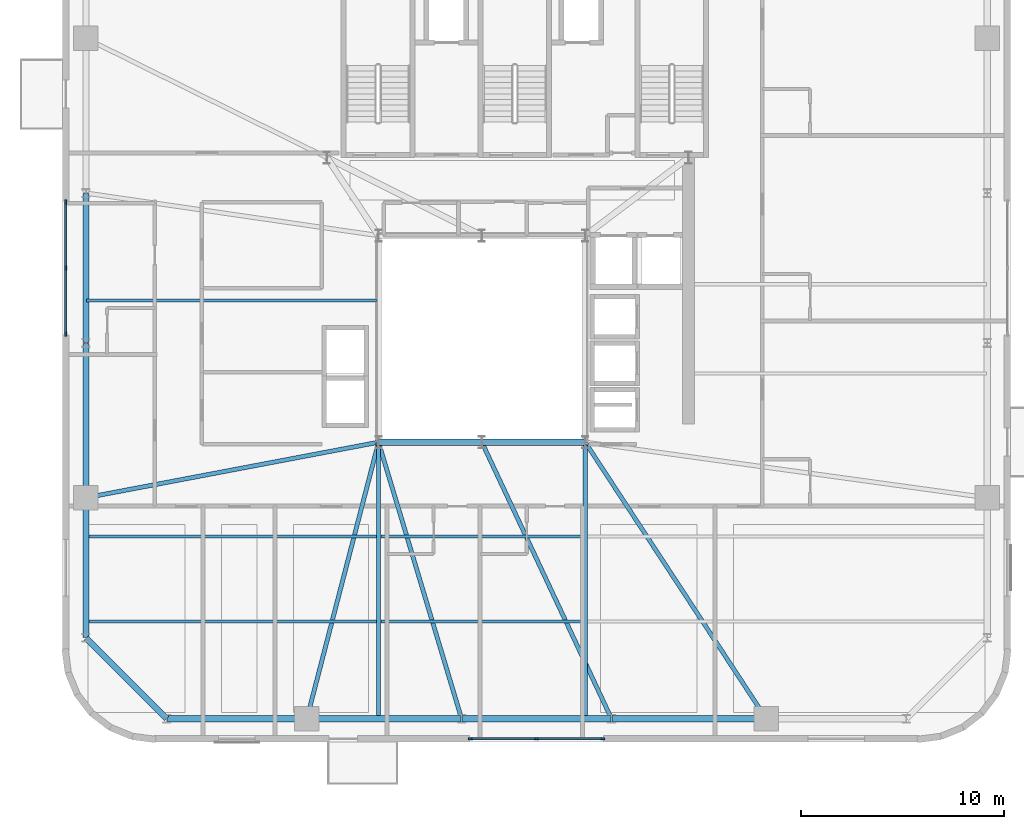
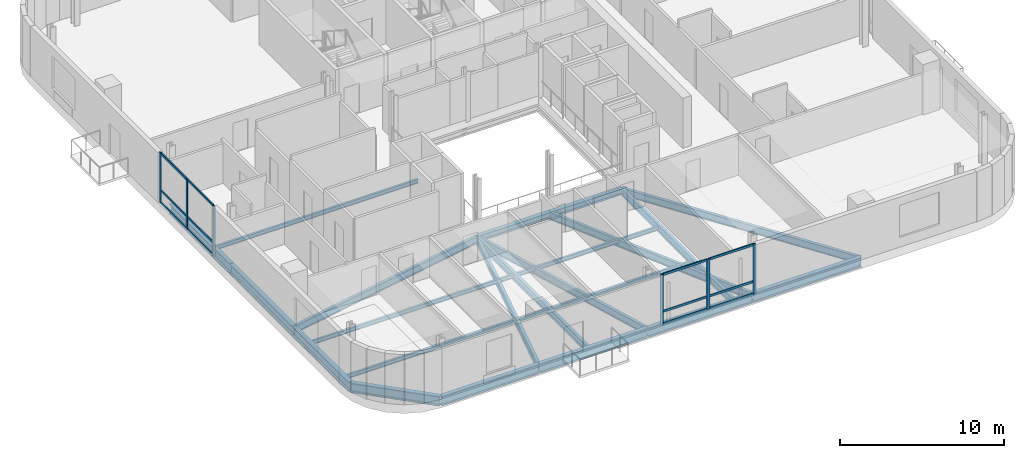
# One storey, part 3 of 15: 22 beams, 18 members, 2 elements without a shape of their own.
"""IFC4 building model written with IfcOpenShell, lengths in metres."""

import ifcopenshell
import ifcopenshell.guid

model = None  # the IFC model being written
_history = None  # IfcOwnerHistory: only IFC2X3 demands one
_inside = {}  # id of a spatial element -> (the spatial element, [elements in it])
_under = {}  # id of a project, library or spatial element -> (it, [spatial elements below it])
_declared = {}  # id of a project -> (the project, [libraries it declares])
_typed = {}  # id of a type object -> (the type object, [elements of that type])
_made_of = {}  # id of a material, layer set ... -> (it, [elements and type objects made of it])


def new_model(schema):
    """Start an empty IFC model of exactly this schema.

    Asked for "IFC4X3", IfcOpenShell would pick the latest addendum, in which some entities
    have other attributes; the version numbers below select the first issue.
    IFC2X3 requires an IfcOwnerHistory on every rooted entity: one is made here for all.
    """
    global model, _history
    if schema == "IFC4X3":
        model = ifcopenshell.file(schema_version=(4, 3, 0, 0))
    else:
        model = ifcopenshell.file(schema=schema)
    _inside.clear()
    _under.clear()
    _declared.clear()
    _typed.clear()
    _made_of.clear()
    _history = None
    if model.schema == "IFC2X3":
        org = make("IfcOrganization", Name="unknown")
        user = make(
            "IfcPersonAndOrganization",
            ThePerson=make("IfcPerson", FamilyName="unknown"),
            TheOrganization=org,
        )
        app = make(
            "IfcApplication",
            ApplicationDeveloper=org,
            Version="unknown",
            ApplicationFullName="unknown",
            ApplicationIdentifier="unknown",
        )
        _history = make(
            "IfcOwnerHistory",
            OwningUser=user,
            OwningApplication=app,
            ChangeAction="ADDED",
            CreationDate=0,
        )
    return model


def make(cls, **values):
    """One entity of the class cls with the attributes given. An attribute that is None is left unset."""
    return model.create_entity(
        cls, **{name: value for name, value in values.items() if value is not None}
    )


def rooted(cls, **values):
    """An entity with a GlobalId (a new one), such as an element, a storey or a relation."""
    return make(cls, GlobalId=ifcopenshell.guid.new(), OwnerHistory=_history, **values)


def si_unit(unit_type, name, prefix=None):
    """IfcSIUnit, for example si_unit("LENGTHUNIT", "METRE", prefix="MILLI")."""
    return make("IfcSIUnit", UnitType=unit_type, Prefix=prefix, Name=name)


def assignment(units):
    """IfcUnitAssignment: the units of a project."""
    return None if units is None else make("IfcUnitAssignment", Units=units)


def point(xyz):
    """IfcCartesianPoint."""
    return None if xyz is None else make("IfcCartesianPoint", Coordinates=xyz)


def direction(xyz):
    """IfcDirection."""
    return None if xyz is None else make("IfcDirection", DirectionRatios=xyz)


def frame(location, z_axis=None, x_axis=None):
    """IfcAxis2Placement3D, a coordinate frame: its origin and axes. An axis left out is left unset."""
    return make(
        "IfcAxis2Placement3D",
        Location=point(location),
        Axis=direction(z_axis),
        RefDirection=direction(x_axis),
    )


def frame_2d(location, x_axis=None):
    """IfcAxis2Placement2D, a coordinate frame in the plane: its origin and x axis."""
    return make(
        "IfcAxis2Placement2D", Location=point(location), RefDirection=direction(x_axis)
    )


def origin():
    """The frame at (0, 0, 0) with its axes left unset."""
    return frame((0.0, 0.0, 0.0))


def origin_2d():
    """The frame at (0, 0) in the plane with its x axis left unset."""
    return frame_2d((0.0, 0.0))


def place(relative_to, where):
    """IfcLocalPlacement: puts the frame where relative to a parent placement (None: the world)."""
    return make(
        "IfcLocalPlacement", PlacementRelTo=relative_to, RelativePlacement=where
    )


def context(
    kind, dimensions, precision=None, world=None, true_north=None, identifier=None
):
    """IfcGeometricRepresentationContext, for example the 3D "Model" context."""
    return make(
        "IfcGeometricRepresentationContext",
        ContextIdentifier=identifier,
        ContextType=kind,
        CoordinateSpaceDimension=dimensions,
        Precision=precision,
        WorldCoordinateSystem=world,
        TrueNorth=true_north,
    )


def subcontext(parent, identifier, kind, view, scale=None):
    """IfcGeometricRepresentationSubContext, for example "Body" below "Model"."""
    return make(
        "IfcGeometricRepresentationSubContext",
        ContextIdentifier=identifier,
        ContextType=kind,
        ParentContext=parent,
        TargetScale=scale,
        TargetView=view,
    )


def project(units=None, contexts=None):
    """IfcProject with its units and contexts."""
    return rooted(
        "IfcProject",
        Name="project",
        RepresentationContexts=contexts,
        UnitsInContext=assignment(units),
    )


def spatial(cls, under=None, at=None, **own):
    """A site, building, storey or space (cls), placed at a placement, below another one or the project."""
    s = rooted(cls, ObjectPlacement=at, **own)
    if under is not None:
        _under.setdefault(under.id(), (under, []))[1].append(s)
    return s


def profile(cls, at=None, kind="AREA", **sizes):
    """A parametric profile (cls). Its sizes go by their IFC names, for example OverallWidth=200.0."""
    return make(cls, ProfileType=kind, Position=at, **sizes)


def rectangle(**sizes):
    """IfcRectangleProfileDef."""
    return profile("IfcRectangleProfileDef", **sizes)


def i_section(**sizes):
    """IfcIShapeProfileDef."""
    return profile("IfcIShapeProfileDef", **sizes)


def extrude(swept, where, along, depth):
    """IfcExtrudedAreaSolid: the profile swept, set in the frame where, extruded along a direction by depth."""
    return make(
        "IfcExtrudedAreaSolid",
        SweptArea=swept,
        Position=where,
        ExtrudedDirection=direction(along),
        Depth=depth,
    )


def shape(context_of_items, identifier, shape_type, items):
    """IfcShapeRepresentation: the items that make up one representation, for example the "Body"."""
    return make(
        "IfcShapeRepresentation",
        ContextOfItems=context_of_items,
        RepresentationIdentifier=identifier,
        RepresentationType=shape_type,
        Items=items,
    )


def source(mapping_origin, context_of_items, identifier, shape_type, items):
    """IfcRepresentationMap: a shape defined once, which mapped items show again and again."""
    return make(
        "IfcRepresentationMap",
        MappingOrigin=mapping_origin,
        MappedRepresentation=shape(context_of_items, identifier, shape_type, items),
    )


def transform(
    local_origin,
    x_axis=None,
    y_axis=None,
    z_axis=None,
    scale=None,
    scale2=None,
    scale3=None,
    uniform=True,
):
    """IfcCartesianTransformationOperator3D, or its non-uniform kind. x_axis, y_axis, z_axis: its Axis1, 2, 3."""
    if uniform:
        return make(
            "IfcCartesianTransformationOperator3D",
            Axis1=direction(x_axis),
            Axis2=direction(y_axis),
            LocalOrigin=point(local_origin),
            Scale=scale,
            Axis3=direction(z_axis),
        )
    return make(
        "IfcCartesianTransformationOperator3DnonUniform",
        Axis1=direction(x_axis),
        Axis2=direction(y_axis),
        LocalOrigin=point(local_origin),
        Scale=scale,
        Axis3=direction(z_axis),
        Scale2=scale2,
        Scale3=scale3,
    )


def mapped(mapping_source, mapping_target):
    """IfcMappedItem: shows the shape of a source again, moved by a transform."""
    return make(
        "IfcMappedItem", MappingSource=mapping_source, MappingTarget=mapping_target
    )


def material(Name=None, Category=None):
    """IfcMaterial."""
    return make("IfcMaterial", Name=Name, Category=Category)


def material_profile(
    of_material, cross_section, Name=None, Category=None, Priority=None
):
    """IfcMaterialProfile: a cross section and its material."""
    return make(
        "IfcMaterialProfile",
        Name=Name,
        Material=of_material,
        Profile=cross_section,
        Priority=Priority,
        Category=Category,
    )


def profile_set(profiles, Name=None, composite=None):
    """IfcMaterialProfileSet."""
    return make(
        "IfcMaterialProfileSet",
        Name=Name,
        MaterialProfiles=profiles,
        CompositeProfile=composite,
    )


def made_of(thing, what):
    """Note that an element or type object is made of a material, layer set ...; save() writes the relation."""
    if what is not None:
        _made_of.setdefault(what.id(), (what, []))[1].append(thing)
    return thing


def type_object(cls, material=None, **own):
    """A type object (cls), such as IfcWallType, which elements share."""
    return made_of(rooted(cls, **own), material)


def element(
    cls,
    number,
    at=None,
    inside=None,
    cuts=None,
    type_object=None,
    material=None,
    context=None,
    identifier="Body",
    shape_type=None,
    held_by="IfcProductDefinitionShape",
    body=None,
    shapes=None,
    **own,
):
    """One element of the class cls, such as IfcWall. Its Tag is "e" and its number.

    at: its placement. inside: the storey or other place that contains it. cuts: it is an
    opening in that element (IfcRelVoidsElement). A single representation is given by context,
    identifier, shape_type and body (its items); several are given by shapes. held_by: the class
    of the entity that holds the representations. save() writes the other relations.
    """
    e = rooted(cls, Tag="e%d" % number, ObjectPlacement=at, **own)
    if body is not None:
        shapes = [shape(context, identifier, shape_type, body)]
    if shapes is not None:
        e.Representation = make(held_by, Representations=shapes)
    if inside is not None:
        _inside.setdefault(inside.id(), (inside, []))[1].append(e)
    if cuts is not None:
        rooted(
            "IfcRelVoidsElement", RelatingBuildingElement=cuts, RelatedOpeningElement=e
        )
    if type_object is not None:
        _typed.setdefault(type_object.id(), (type_object, []))[1].append(e)
    return made_of(e, material)


def aggregate(whole, parts):
    """IfcRelAggregates: a whole, such as a stair, and the parts it consists of."""
    return rooted("IfcRelAggregates", RelatingObject=whole, RelatedObjects=parts)


def save(model, path):
    """Write the relations noted so far, then the file.

    IfcRelAggregates (storeys below a building ...), IfcRelContainedInSpatialStructure (elements
    in a storey), IfcRelDefinesByType, IfcRelAssociatesMaterial and IfcRelDeclares: one each for
    every whole, place, type object, material and project.
    """
    for whole, parts in _under.values():
        aggregate(whole, parts)
    for where, things in _inside.values():
        rooted(
            "IfcRelContainedInSpatialStructure",
            RelatedElements=things,
            RelatingStructure=where,
        )
    for kind, things in _typed.values():
        rooted("IfcRelDefinesByType", RelatedObjects=things, RelatingType=kind)
    for what, things in _made_of.values():
        rooted("IfcRelAssociatesMaterial", RelatedObjects=things, RelatingMaterial=what)
    for by, libraries in _declared.values():
        rooted("IfcRelDeclares", RelatingContext=by, RelatedDefinitions=libraries)
    model.write(path)


model = new_model("IFC4")

# Units and contexts
model_context = context("Model", 3, precision=1e-05, world=origin(), true_north=direction((0.0, 1.0)))
body_context = subcontext(model_context, "Body", "Model", "MODEL_VIEW")
ifc_project = project(units=[si_unit("LENGTHUNIT", "METRE"), si_unit("AREAUNIT", "SQUARE_METRE"), si_unit("VOLUMEUNIT", "CUBIC_METRE"), si_unit("PLANEANGLEUNIT", "RADIAN"), si_unit("MASSUNIT", "GRAM", prefix="KILO")], contexts=[model_context])

# Site, building, storey
site_placement = place(None, origin())
site = spatial("IfcSite", under=ifc_project, at=site_placement, CompositionType="ELEMENT")
building_placement = place(site_placement, origin())
building = spatial("IfcBuilding", under=site, at=building_placement, Name="Vardaveli Station Tower", CompositionType="ELEMENT")
storey_placement = place(building_placement, frame((0.0, 0.0, 242.699951171875)))
storey = spatial("IfcBuildingStorey", under=building, at=storey_placement, Name="L62", CompositionType="ELEMENT", Elevation=242.699951171875)

# Beams
ifc_material_1 = material(Name="Structural steel S355J2", Category="steel")
ifc_material_profile_1 = material_profile(ifc_material_1, i_section(OverallWidth=0.300048828125, OverallDepth=0.449951171875, WebThickness=0.013916015625, FlangeThickness=0.02587890625, FilletRadius=0.027099609375, at=origin_2d()), Name="HEB 450")
ifc_profile_set_1 = profile_set([ifc_material_profile_1], Name="Structural steel S355J2")
beam_type_1 = type_object("IfcBeamType", Name="BM-HEB450", PredefinedType="BEAM", material=ifc_profile_set_1)
shared_shape_1 = source(origin(), body_context, "Body", "SweptSolid", [
    extrude(i_section(OverallWidth=0.300048828125, OverallDepth=0.449951171875, WebThickness=0.013916015625, FlangeThickness=0.02587890625, FilletRadius=0.027099609375, at=origin_2d()), origin(), (0.0, 0.0, 1.0), 5.06005859375),
])
beam_1_placement = place(storey_placement, frame((31.219970703125, 16.60009765625, -0.875), z_axis=(1.0, 0.0, 0.0), x_axis=(0.0, 1.0, 0.0)))
element("IfcBeam", 1, at=beam_1_placement, inside=storey, type_object=beam_type_1, Name="ABM-L62-01", PredefinedType="BEAM", context=body_context, shape_type="MappedRepresentation", body=[
    mapped(shared_shape_1, transform((0.0, 0.0, 0.0), scale=1.0)),
])
shared_shape_2 = source(origin(), body_context, "Body", "SweptSolid", [
    extrude(i_section(OverallWidth=0.300048828125, OverallDepth=0.449951171875, WebThickness=0.013916015625, FlangeThickness=0.02587890625, FilletRadius=0.027099609375, at=origin_2d()), origin(), (0.0, 0.0, 1.0), 5.059814453125),
])
beam_2_placement = place(storey_placement, frame((36.320068359375, 16.60009765625, -0.875), z_axis=(1.0, 0.0, 0.0), x_axis=(0.0, 1.0, 0.0)))
element("IfcBeam", 2, at=beam_2_placement, inside=storey, type_object=beam_type_1, Name="ABM-L62-02", PredefinedType="BEAM", context=body_context, shape_type="MappedRepresentation", body=[
    mapped(shared_shape_2, transform((0.0, 0.0, 0.0), scale=1.0)),
])
ifc_material_profile_2 = material_profile(ifc_material_1, i_section(OverallWidth=0.2099609375, OverallDepth=0.550048828125, WebThickness=0.010986328125, FlangeThickness=0.01708984375, FilletRadius=0.02392578125, at=origin_2d()), Name="IPE 550")
ifc_profile_set_2 = profile_set([ifc_material_profile_2], Name="Structural steel S355J2")
beam_type_2 = type_object("IfcBeamType", Name="BM-IPE550", PredefinedType="BEAM", material=ifc_profile_set_2)
shared_shape_3 = source(origin(), body_context, "Body", "SweptSolid", [
    extrude(i_section(OverallWidth=0.2099609375, OverallDepth=0.550048828125, WebThickness=0.010986328125, FlangeThickness=0.01708984375, FilletRadius=0.02392578125, at=origin_2d()), origin(), (0.0, 0.0, 1.0), 13.469970703125),
])
for number, where, z_axis, x_axis, name in (
    (3, (31.199951171875, 2.989990234375, -0.925048828125), (0.0, 1.0, 0.0), (-1.0, 0.0, 0.0), "NSM-L62-S1"),
    (4, (41.39990234375, 2.989990234375, -0.925048828125), (0.0, 1.0, 0.0), (-1.0, 0.0, 0.0), "NSM-L62-S2"),
):
    element("IfcBeam", number, at=place(storey_placement, frame(where, z_axis=z_axis, x_axis=x_axis)), inside=storey, type_object=beam_type_2, Name=name, PredefinedType="BEAM", context=body_context, shape_type="MappedRepresentation", body=[
        mapped(shared_shape_3, transform((0.0, 0.0, 0.0), scale=1.0)),
    ])
ifc_material_2 = material(Name="Structural steel S460M", Category="steel")
ifc_material_profile_3 = material_profile(ifc_material_2, i_section(OverallWidth=0.303955078125, OverallDepth=0.716064453125, WebThickness=0.02099609375, FlangeThickness=0.0400390625, FilletRadius=0.027099609375, at=origin_2d()), Name="HEM 700")
ifc_profile_set_3 = profile_set([ifc_material_profile_3], Name="Structural steel S460M")
beam_type_3 = type_object("IfcBeamType", Name="BM-HEM700", PredefinedType="BEAM", material=ifc_profile_set_3)
shared_shape_4 = source(origin(), body_context, "Body", "SweptSolid", [
    extrude(i_section(OverallWidth=0.303955078125, OverallDepth=0.716064453125, WebThickness=0.02099609375, FlangeThickness=0.0400390625, FilletRadius=0.027099609375, at=origin_2d()), origin(), (0.0, 0.0, 1.0), 7.60009765625),
])
for number, where, z_axis, x_axis, name in (
    (5, (27.679931640625, 2.949951171875, -1.008056640625), (1.0, 0.0, 0.0), (0.0, 1.0, 0.0), "RBM-L62-01"),
    (6, (42.719970703125, 2.949951171875, -1.008056640625), (1.0, 0.0, 0.0), (0.0, 1.0, 0.0), "RBM-L62-03"),
    (7, (16.75, 21.47998046875, -1.008056640625), (0.0, -1.0, 0.0), (1.0, 0.0, 0.0), "RBM-L62-21"),
):
    element("IfcBeam", number, at=place(storey_placement, frame(where, z_axis=z_axis, x_axis=x_axis)), inside=storey, type_object=beam_type_3, Name=name, PredefinedType="BEAM", context=body_context, shape_type="MappedRepresentation", body=[
        mapped(shared_shape_4, transform((0.0, 0.0, 0.0), scale=1.0)),
    ])
shared_shape_5 = source(origin(), body_context, "Body", "SweptSolid", [
    extrude(i_section(OverallWidth=0.303955078125, OverallDepth=0.716064453125, WebThickness=0.02099609375, FlangeThickness=0.0400390625, FilletRadius=0.027099609375, at=origin_2d()), origin(), (0.0, 0.0, 1.0), 7.35986328125),
])
for number, where, z_axis, x_axis, name in (
    (8, (35.320068359375, 2.949951171875, -1.008056640625), (1.0, 0.0, 0.0), (0.0, 1.0, 0.0), "RBM-L62-02"),
    (9, (16.75, 28.8798828125, -1.008056640625), (0.0, -1.0, 0.0), (1.0, 0.0, 0.0), "RBM-L62-20"),
):
    element("IfcBeam", number, at=place(storey_placement, frame(where, z_axis=z_axis, x_axis=x_axis)), inside=storey, type_object=beam_type_3, Name=name, PredefinedType="BEAM", context=body_context, shape_type="MappedRepresentation", body=[
        mapped(shared_shape_5, transform((0.0, 0.0, 0.0), scale=1.0)),
    ])
shared_shape_6 = source(origin(), body_context, "Body", "SweptSolid", [
    extrude(i_section(OverallWidth=0.303955078125, OverallDepth=0.716064453125, WebThickness=0.02099609375, FlangeThickness=0.0400390625, FilletRadius=0.027099609375, at=origin_2d()), origin(), (0.0, 0.0, 1.0), 6.869873046875),
])
beam_3_placement = place(storey_placement, frame((20.77001953125, 2.949951171875, -1.008056640625), z_axis=(1.0, 0.0, 0.0), x_axis=(0.0, 1.0, 0.0)))
element("IfcBeam", 10, at=beam_3_placement, inside=storey, type_object=beam_type_3, Name="RBM-L62-24", PredefinedType="BEAM", context=body_context, shape_type="MappedRepresentation", body=[
    mapped(shared_shape_6, transform((0.0, 0.0, 0.0), scale=1.0)),
])
shared_shape_7 = source(origin(), body_context, "Body", "SweptSolid", [
    extrude(i_section(OverallWidth=0.303955078125, OverallDepth=0.716064453125, WebThickness=0.02099609375, FlangeThickness=0.0400390625, FilletRadius=0.027099609375, at=origin_2d()), origin(), (0.0, 0.0, 1.0), 5.61669921875),
])
beam_4_placement = place(storey_placement, frame((16.76416015625, 6.935791015625, -1.008056640625), z_axis=(0.707106781187, -0.707106781187, 0.0), x_axis=(0.707106781187, 0.707106781187, 0.0)))
element("IfcBeam", 11, at=beam_4_placement, inside=storey, type_object=beam_type_3, Name="RBM-L62-23", PredefinedType="BEAM", context=body_context, shape_type="MappedRepresentation", body=[
    mapped(shared_shape_7, transform((0.0, 0.0, 0.0), scale=1.0)),
])
shared_shape_8 = source(origin(), body_context, "Body", "SweptSolid", [
    extrude(i_section(OverallWidth=0.303955078125, OverallDepth=0.716064453125, WebThickness=0.02099609375, FlangeThickness=0.0400390625, FilletRadius=0.027099609375, at=origin_2d()), origin(), (0.0, 0.0, 1.0), 6.8701171875),
])
beam_5_placement = place(storey_placement, frame((16.75, 13.840087890625, -1.008056640625), z_axis=(0.0, -1.0, 0.0), x_axis=(1.0, 0.0, 0.0)))
element("IfcBeam", 12, at=beam_5_placement, inside=storey, type_object=beam_type_3, Name="RBM-L62-22", PredefinedType="BEAM", context=body_context, shape_type="MappedRepresentation", body=[
    mapped(shared_shape_8, transform((0.0, 0.0, 0.0), scale=1.0)),
])
shared_shape_9 = source(origin(), body_context, "Body", "SweptSolid", [
    extrude(i_section(OverallWidth=0.2099609375, OverallDepth=0.550048828125, WebThickness=0.010986328125, FlangeThickness=0.01708984375, FilletRadius=0.02392578125, at=origin_2d()), origin(), (0.0, 0.0, 1.0), 14.0615234375),
])
beam_6_placement = place(storey_placement, frame((27.6650390625, 2.96923828125, -0.925048828125), z_axis=(0.251039886128, 0.967976743302, 0.0), x_axis=(-0.967976743302, 0.251039886128, 0.0)))
element("IfcBeam", 13, at=beam_6_placement, inside=storey, type_object=beam_type_2, Name="GBM-L62-01", PredefinedType="BEAM", context=body_context, shape_type="MappedRepresentation", body=[
    mapped(shared_shape_9, transform((0.0, 0.0, 0.0), scale=1.0)),
])
shared_shape_10 = source(origin(), body_context, "Body", "SweptSolid", [
    extrude(i_section(OverallWidth=0.2099609375, OverallDepth=0.550048828125, WebThickness=0.010986328125, FlangeThickness=0.01708984375, FilletRadius=0.02392578125, at=origin_2d()), origin(), (0.0, 0.0, 1.0), 14.21240234375),
])
beam_7_placement = place(storey_placement, frame((35.294189453125, 2.96923828125, -0.925048828125), z_axis=(-0.287664640516, 0.957731201641, 0.0), x_axis=(-0.957731201641, -0.287664640516, 0.0)))
element("IfcBeam", 14, at=beam_7_placement, inside=storey, type_object=beam_type_2, Name="GBM-L62-02", PredefinedType="BEAM", context=body_context, shape_type="MappedRepresentation", body=[
    mapped(shared_shape_10, transform((0.0, 0.0, 0.0), scale=1.0)),
])
shared_shape_11 = source(origin(), body_context, "Body", "SweptSolid", [
    extrude(i_section(OverallWidth=0.2099609375, OverallDepth=0.550048828125, WebThickness=0.010986328125, FlangeThickness=0.01708984375, FilletRadius=0.02392578125, at=origin_2d()), origin(), (0.0, 0.0, 1.0), 15.035888671875),
])
beam_8_placement = place(storey_placement, frame((42.69140625, 2.968017578125, -0.925048828125), z_axis=(-0.424507924171, 0.905424222293, 0.0), x_axis=(-0.905424222293, -0.424507924171, 0.0)))
element("IfcBeam", 15, at=beam_8_placement, inside=storey, type_object=beam_type_2, Name="GBM-L62-03", PredefinedType="BEAM", context=body_context, shape_type="MappedRepresentation", body=[
    mapped(shared_shape_11, transform((0.0, 0.0, 0.0), scale=1.0)),
])
shared_shape_12 = source(origin(), body_context, "Body", "SweptSolid", [
    extrude(i_section(OverallWidth=0.2099609375, OverallDepth=0.550048828125, WebThickness=0.010986328125, FlangeThickness=0.01708984375, FilletRadius=0.02392578125, at=origin_2d()), origin(), (0.0, 0.0, 1.0), 16.277099609375),
])
beam_9_placement = place(storey_placement, frame((50.3291015625, 2.966796875, -0.925048828125), z_axis=(-0.547901042625, 0.836543153394, 0.0), x_axis=(-0.836543153394, -0.547901042625, 0.0)))
element("IfcBeam", 16, at=beam_9_placement, inside=storey, type_object=beam_type_2, Name="GBM-L62-04", PredefinedType="BEAM", context=body_context, shape_type="MappedRepresentation", body=[
    mapped(shared_shape_12, transform((0.0, 0.0, 0.0), scale=1.0)),
])
shared_shape_13 = source(origin(), body_context, "Body", "SweptSolid", [
    extrude(i_section(OverallWidth=0.2099609375, OverallDepth=0.550048828125, WebThickness=0.010986328125, FlangeThickness=0.01708984375, FilletRadius=0.02392578125, at=origin_2d()), origin(), (0.0, 0.0, 1.0), 14.667724609375),
])
beam_10_placement = place(storey_placement, frame((16.76953125, 13.86376953125, -0.925048828125), z_axis=(0.982494981835, 0.186289051395, 0.0), x_axis=(-0.186289051395, 0.982494981835, 0.0)))
element("IfcBeam", 17, at=beam_10_placement, inside=storey, type_object=beam_type_2, Name="GBM-L62-10", PredefinedType="BEAM", context=body_context, shape_type="MappedRepresentation", body=[
    mapped(shared_shape_13, transform((0.0, 0.0, 0.0), scale=1.0)),
])
ifc_material_profile_4 = material_profile(ifc_material_1, i_section(OverallWidth=0.14990234375, OverallDepth=0.300048828125, WebThickness=0.007080078125, FlangeThickness=0.0107421875, FilletRadius=0.014892578125, at=origin_2d()), Name="IPE 300")
ifc_profile_set_4 = profile_set([ifc_material_profile_4], Name="Structural steel S355J2")
beam_type_4 = type_object("IfcBeamType", Name="BM-IPE300", PredefinedType="JOIST", material=ifc_profile_set_4)
shared_shape_14 = source(origin(), body_context, "Body", "SweptSolid", [
    extrude(i_section(OverallWidth=0.14990234375, OverallDepth=0.300048828125, WebThickness=0.007080078125, FlangeThickness=0.0107421875, FilletRadius=0.014892578125, at=origin_2d()), origin(), (0.0, 0.0, 1.0), 14.2978515625),
])
for number, where, z_axis, x_axis, name in (
    (18, (16.7900390625, 7.75, -0.800048828125), (1.0, 0.0, 0.0), (0.0, 1.0, 0.0), "SJ-L62-S01"),
    (19, (16.7900390625, 11.949951171875, -0.800048828125), (1.0, 0.0, 0.0), (0.0, 1.0, 0.0), "SJ-L62-S04"),
    (20, (16.7900390625, 23.60009765625, -0.800048828125), (1.0, 0.0, 0.0), (0.0, 1.0, 0.0), "SJ-L62-W08"),
):
    element("IfcBeam", number, at=place(storey_placement, frame(where, z_axis=z_axis, x_axis=x_axis)), inside=storey, type_object=beam_type_4, Name=name, PredefinedType="JOIST", context=body_context, shape_type="MappedRepresentation", body=[
        mapped(shared_shape_14, transform((0.0, 0.0, 0.0), scale=1.0)),
    ])
shared_shape_15 = source(origin(), body_context, "Body", "SweptSolid", [
    extrude(i_section(OverallWidth=0.14990234375, OverallDepth=0.300048828125, WebThickness=0.007080078125, FlangeThickness=0.0107421875, FilletRadius=0.014892578125, at=origin_2d()), origin(), (0.0, 0.0, 1.0), 9.97607421875),
])
for number, where, z_axis, x_axis, name in (
    (21, (31.31201171875, 7.75, -0.800048828125), (1.0, 0.0, 0.0), (0.0, 1.0, 0.0), "SJ-L62-S02"),
    (22, (31.31201171875, 11.949951171875, -0.800048828125), (1.0, 0.0, 0.0), (0.0, 1.0, 0.0), "SJ-L62-S05"),
):
    element("IfcBeam", number, at=place(storey_placement, frame(where, z_axis=z_axis, x_axis=x_axis)), inside=storey, type_object=beam_type_4, Name=name, PredefinedType="JOIST", context=body_context, shape_type="MappedRepresentation", body=[
        mapped(shared_shape_15, transform((0.0, 0.0, 0.0), scale=1.0)),
    ])

# Curtain wall, members
ifc_material_3 = material(Name="Travertine stone and solar-control glass", Category="masonry")
curtain_wall_type = type_object("IfcCurtainWallType", Name="CW-SYS-5", PredefinedType="NOTDEFINED", material=ifc_material_3)
curtain_wall_1_placement = place(storey_placement, origin())
curtain_wall_1 = element("IfcCurtainWall", 23, at=curtain_wall_1_placement, inside=storey, type_object=curtain_wall_type, Name="CW-L62-S", PredefinedType="NOTDEFINED")
ifc_material_4 = material(Name="Anodised aluminium alloy 6063-T6", Category="aluminium")
ifc_material_profile_5 = material_profile(ifc_material_4, rectangle(XDim=0.080078125, YDim=0.1650390625, at=origin_2d()), Name="CWT 80x165")
ifc_profile_set_5 = profile_set([ifc_material_profile_5], Name="Anodised aluminium alloy 6063-T6")
member_type_1 = type_object("IfcMemberType", Name="CW-SYS-5-TRAN", PredefinedType="NOTDEFINED", material=ifc_profile_set_5)
shared_shape_16 = source(origin(), body_context, "Body", "SweptSolid", [
    extrude(rectangle(XDim=0.080078125, YDim=0.1650390625, at=origin_2d()), origin(), (0.0, 0.0, 1.0), 3.179931640625),
])
member_1_placement = place(storey_placement, frame((35.780029296875, 1.9599609375, 0.0400390625), z_axis=(1.0, 0.0, 0.0), x_axis=(0.0, 1.0, 0.0)))
member_1 = element("IfcMember", 24, at=member_1_placement, type_object=member_type_1, Name="CW-5 transom 1.1", ObjectType="TRANSOM", PredefinedType="USERDEFINED", context=body_context, shape_type="MappedRepresentation", body=[
    mapped(shared_shape_16, transform((0.0, 0.0, 0.0), scale=1.0)),
])
member_2_placement = place(storey_placement, frame((35.780029296875, 1.9599609375, 0.949951171875), z_axis=(1.0, 0.0, 0.0), x_axis=(0.0, 1.0, 0.0)))
member_2 = element("IfcMember", 25, at=member_2_placement, type_object=member_type_1, Name="CW-5 transom 1.2", ObjectType="TRANSOM", PredefinedType="USERDEFINED", context=body_context, shape_type="MappedRepresentation", body=[
    mapped(shared_shape_16, transform((0.0, 0.0, 0.0), scale=1.0)),
])
member_3_placement = place(storey_placement, frame((35.780029296875, 1.9599609375, 3.68994140625), z_axis=(1.0, 0.0, 0.0), x_axis=(0.0, 1.0, 0.0)))
member_3 = element("IfcMember", 26, at=member_3_placement, type_object=member_type_1, Name="CW-5 transom 1.3", ObjectType="TRANSOM", PredefinedType="USERDEFINED", context=body_context, shape_type="MappedRepresentation", body=[
    mapped(shared_shape_16, transform((0.0, 0.0, 0.0), scale=1.0)),
])
member_4_placement = place(storey_placement, frame((39.0400390625, 1.9599609375, 0.0400390625), z_axis=(1.0, 0.0, 0.0), x_axis=(0.0, 1.0, 0.0)))
member_4 = element("IfcMember", 27, at=member_4_placement, type_object=member_type_1, Name="CW-5 transom 2.1", ObjectType="TRANSOM", PredefinedType="USERDEFINED", context=body_context, shape_type="MappedRepresentation", body=[
    mapped(shared_shape_16, transform((0.0, 0.0, 0.0), scale=1.0)),
])
member_5_placement = place(storey_placement, frame((39.0400390625, 1.9599609375, 0.949951171875), z_axis=(1.0, 0.0, 0.0), x_axis=(0.0, 1.0, 0.0)))
member_5 = element("IfcMember", 28, at=member_5_placement, type_object=member_type_1, Name="CW-5 transom 2.2", ObjectType="TRANSOM", PredefinedType="USERDEFINED", context=body_context, shape_type="MappedRepresentation", body=[
    mapped(shared_shape_16, transform((0.0, 0.0, 0.0), scale=1.0)),
])
member_6_placement = place(storey_placement, frame((39.0400390625, 1.9599609375, 3.68994140625), z_axis=(1.0, 0.0, 0.0), x_axis=(0.0, 1.0, 0.0)))
member_6 = element("IfcMember", 29, at=member_6_placement, type_object=member_type_1, Name="CW-5 transom 2.3", ObjectType="TRANSOM", PredefinedType="USERDEFINED", context=body_context, shape_type="MappedRepresentation", body=[
    mapped(shared_shape_16, transform((0.0, 0.0, 0.0), scale=1.0)),
])

curtain_wall_2_placement = place(storey_placement, origin())
curtain_wall_2 = element("IfcCurtainWall", 30, at=curtain_wall_2_placement, inside=storey, type_object=curtain_wall_type, Name="CW-L62-W", PredefinedType="NOTDEFINED")
member_7_placement = place(storey_placement, frame((15.760009765625, 28.419921875, 0.0400390625), z_axis=(0.0, -1.0, 0.0), x_axis=(1.0, 0.0, 0.0)))
member_7 = element("IfcMember", 31, at=member_7_placement, type_object=member_type_1, Name="CW-5 transom 1.1", ObjectType="TRANSOM", PredefinedType="USERDEFINED", context=body_context, shape_type="MappedRepresentation", body=[
    mapped(shared_shape_16, transform((0.0, 0.0, 0.0), scale=1.0)),
])
member_8_placement = place(storey_placement, frame((15.760009765625, 28.419921875, 0.949951171875), z_axis=(0.0, -1.0, 0.0), x_axis=(1.0, 0.0, 0.0)))
member_8 = element("IfcMember", 32, at=member_8_placement, type_object=member_type_1, Name="CW-5 transom 1.2", ObjectType="TRANSOM", PredefinedType="USERDEFINED", context=body_context, shape_type="MappedRepresentation", body=[
    mapped(shared_shape_16, transform((0.0, 0.0, 0.0), scale=1.0)),
])
member_9_placement = place(storey_placement, frame((15.760009765625, 28.419921875, 3.68994140625), z_axis=(0.0, -1.0, 0.0), x_axis=(1.0, 0.0, 0.0)))
member_9 = element("IfcMember", 33, at=member_9_placement, type_object=member_type_1, Name="CW-5 transom 1.3", ObjectType="TRANSOM", PredefinedType="USERDEFINED", context=body_context, shape_type="MappedRepresentation", body=[
    mapped(shared_shape_16, transform((0.0, 0.0, 0.0), scale=1.0)),
])
member_10_placement = place(storey_placement, frame((15.760009765625, 25.159912109375, 0.0400390625), z_axis=(0.0, -1.0, 0.0), x_axis=(1.0, 0.0, 0.0)))
member_10 = element("IfcMember", 34, at=member_10_placement, type_object=member_type_1, Name="CW-5 transom 2.1", ObjectType="TRANSOM", PredefinedType="USERDEFINED", context=body_context, shape_type="MappedRepresentation", body=[
    mapped(shared_shape_16, transform((0.0, 0.0, 0.0), scale=1.0)),
])
member_11_placement = place(storey_placement, frame((15.760009765625, 25.159912109375, 0.949951171875), z_axis=(0.0, -1.0, 0.0), x_axis=(1.0, 0.0, 0.0)))
member_11 = element("IfcMember", 35, at=member_11_placement, type_object=member_type_1, Name="CW-5 transom 2.2", ObjectType="TRANSOM", PredefinedType="USERDEFINED", context=body_context, shape_type="MappedRepresentation", body=[
    mapped(shared_shape_16, transform((0.0, 0.0, 0.0), scale=1.0)),
])
member_12_placement = place(storey_placement, frame((15.760009765625, 25.159912109375, 3.68994140625), z_axis=(0.0, -1.0, 0.0), x_axis=(1.0, 0.0, 0.0)))
member_12 = element("IfcMember", 36, at=member_12_placement, type_object=member_type_1, Name="CW-5 transom 2.3", ObjectType="TRANSOM", PredefinedType="USERDEFINED", context=body_context, shape_type="MappedRepresentation", body=[
    mapped(shared_shape_16, transform((0.0, 0.0, 0.0), scale=1.0)),
])

# Member
ifc_material_profile_6 = material_profile(ifc_material_4, rectangle(XDim=0.080078125, YDim=0.205078125, at=origin_2d()), Name="CWM 80x205")
ifc_profile_set_6 = profile_set([ifc_material_profile_6], Name="Anodised aluminium alloy 6063-T6")
member_type_2 = type_object("IfcMemberType", Name="CW-SYS-5-MULL", PredefinedType="MULLION", material=ifc_profile_set_6)
shared_shape_17 = source(origin(), body_context, "Body", "SweptSolid", [
    extrude(rectangle(XDim=0.080078125, YDim=0.205078125, at=origin_2d()), origin(), (0.0, 0.0, 1.0), 3.72998046875),
])
member_13_placement = place(storey_placement, frame((35.739990234375, 1.9599609375, 0.0), z_axis=(0.0, 0.0, 1.0), x_axis=(0.0, 1.0, 0.0)))
member_13 = element("IfcMember", 37, at=member_13_placement, type_object=member_type_2, Name="CW-5 mullion 1", PredefinedType="MULLION", context=body_context, shape_type="MappedRepresentation", body=[
    mapped(shared_shape_17, transform((0.0, 0.0, 0.0), scale=1.0)),
])

member_14_placement = place(storey_placement, frame((39.0, 1.9599609375, 0.0), z_axis=(0.0, 0.0, 1.0), x_axis=(0.0, 1.0, 0.0)))
member_14 = element("IfcMember", 38, at=member_14_placement, type_object=member_type_2, Name="CW-5 mullion 2", PredefinedType="MULLION", context=body_context, shape_type="MappedRepresentation", body=[
    mapped(shared_shape_17, transform((0.0, 0.0, 0.0), scale=1.0)),
])

member_15_placement = place(storey_placement, frame((42.260009765625, 1.9599609375, 0.0), z_axis=(0.0, 0.0, 1.0), x_axis=(0.0, 1.0, 0.0)))
member_15 = element("IfcMember", 39, at=member_15_placement, type_object=member_type_2, Name="CW-5 mullion 3", PredefinedType="MULLION", context=body_context, shape_type="MappedRepresentation", body=[
    mapped(shared_shape_17, transform((0.0, 0.0, 0.0), scale=1.0)),
])

aggregate(curtain_wall_1, [member_13, member_14, member_15, member_1, member_2, member_3, member_4, member_5, member_6])

member_16_placement = place(storey_placement, frame((15.760009765625, 28.4599609375, 0.0), z_axis=(0.0, 0.0, 1.0), x_axis=(1.0, 0.0, 0.0)))
member_16 = element("IfcMember", 40, at=member_16_placement, type_object=member_type_2, Name="CW-5 mullion 1", PredefinedType="MULLION", context=body_context, shape_type="MappedRepresentation", body=[
    mapped(shared_shape_17, transform((0.0, 0.0, 0.0), scale=1.0)),
])

member_17_placement = place(storey_placement, frame((15.760009765625, 25.199951171875, 0.0), z_axis=(0.0, 0.0, 1.0), x_axis=(1.0, 0.0, 0.0)))
member_17 = element("IfcMember", 41, at=member_17_placement, type_object=member_type_2, Name="CW-5 mullion 2", PredefinedType="MULLION", context=body_context, shape_type="MappedRepresentation", body=[
    mapped(shared_shape_17, transform((0.0, 0.0, 0.0), scale=1.0)),
])

member_18_placement = place(storey_placement, frame((15.760009765625, 21.93994140625, 0.0), z_axis=(0.0, 0.0, 1.0), x_axis=(1.0, 0.0, 0.0)))
member_18 = element("IfcMember", 42, at=member_18_placement, type_object=member_type_2, Name="CW-5 mullion 3", PredefinedType="MULLION", context=body_context, shape_type="MappedRepresentation", body=[
    mapped(shared_shape_17, transform((0.0, 0.0, 0.0), scale=1.0)),
])

aggregate(curtain_wall_2, [member_16, member_17, member_18, member_7, member_8, member_9, member_10, member_11, member_12])

save(model, "model.ifc")
